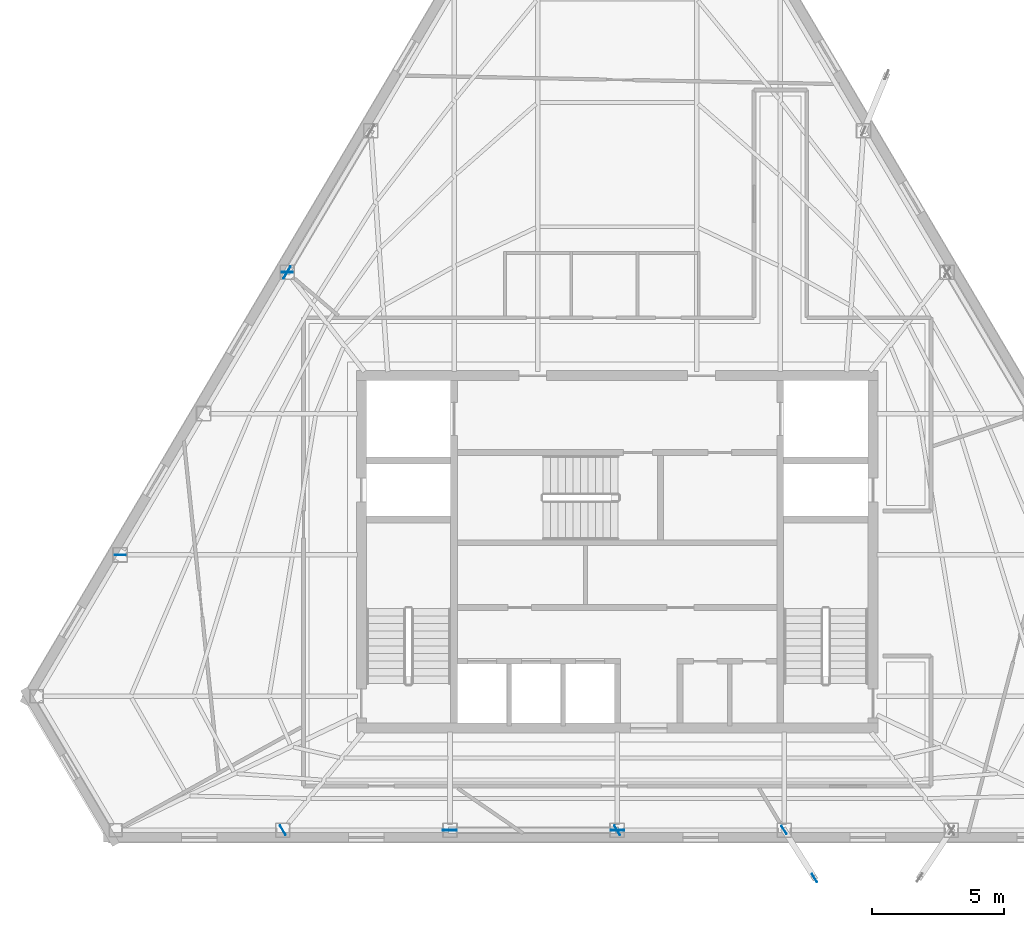
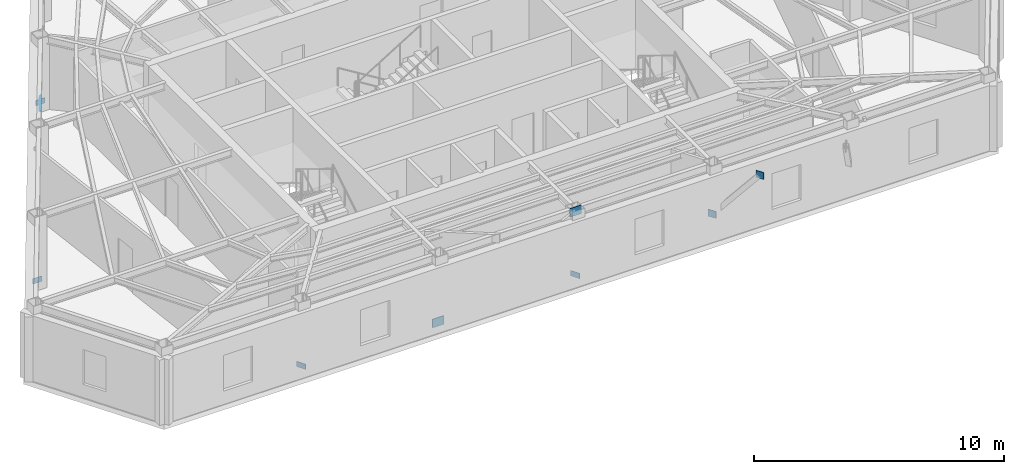
# One storey, part 4 of 10: 9 plates.
"""IFC4 building model written with IfcOpenShell, lengths in metres."""

from ifc_helpers import new_model, si_unit, direction, frame, origin, origin_2d, place, context, subcontext, project, spatial, rectangle, extrude, material, layer, layer_set, type_object, element, save


model = new_model("IFC4")

# Units and contexts
model_context = context("Model", 3, precision=1e-05, world=origin(), true_north=direction((0.0, 1.0)))
body_context = subcontext(model_context, "Body", "Model", "MODEL_VIEW")
ifc_project = project(units=[si_unit("LENGTHUNIT", "METRE"), si_unit("AREAUNIT", "SQUARE_METRE"), si_unit("VOLUMEUNIT", "CUBIC_METRE"), si_unit("PLANEANGLEUNIT", "RADIAN"), si_unit("MASSUNIT", "GRAM", prefix="KILO")], contexts=[model_context])

# Site, building, storey
site_placement = place(None, origin())
site = spatial("IfcSite", under=ifc_project, at=site_placement, CompositionType="ELEMENT")
building_placement = place(site_placement, origin())
building = spatial("IfcBuilding", under=site, at=building_placement, Name="Kavelnor Concourse Tower", CompositionType="ELEMENT")
storey_placement = place(building_placement, frame((0.0, 0.0, 274.14990234375)))
storey = spatial("IfcBuildingStorey", under=building, at=storey_placement, Name="L69", CompositionType="ELEMENT", Elevation=274.14990234375)

# Plates
ifc_material = material(Name="Steel Grade 350", Category="steel")
ifc_layer_1 = layer(ifc_material, 0.028076171875, Name="Steel Grade 350")
ifc_layer_set_1 = layer_set([ifc_layer_1], Name="Steel Grade 350")
plate_type_1 = type_object("IfcPlateType", Name="PL-GUSSET-FOLD", PredefinedType="USERDEFINED", material=ifc_layer_set_1)
for number, where, z_axis, x_axis, name in (
    (1, (44.33740234375, 5.546875, 0.8798828125), (0.0, 0.0, 1.0), (0.535089775931, -0.844795201036, 0.0), "L69 Balcony Strut Gusset GP4 1-A End Gusset A"),
    (2, (45.494873046875, 3.719482421875, 3.48486328125), (0.0, 0.0, 1.0), (0.535089775931, -0.844795201036, 0.0), "L69 Balcony Strut Gusset GP4 1-A End Gusset B"),
):
    element("IfcPlate", number, at=place(storey_placement, frame(where, z_axis=z_axis, x_axis=x_axis)), inside=storey, type_object=plate_type_1, Name=name, ObjectType="GUSSET_PLATE", PredefinedType="USERDEFINED", context=body_context, shape_type="SweptSolid", body=[
        extrude(rectangle(XDim=0.360107421875, YDim=0.028076171875, at=origin_2d()), origin(), (0.0, 0.0, 1.0), 0.340087890625),
    ])
ifc_layer_2 = layer(ifc_material, 0.031982421875, Name="Steel Grade 350")
ifc_layer_set_2 = layer_set([ifc_layer_2], Name="Steel Grade 350")
plate_type_2 = type_object("IfcPlateType", Name="PL-GUSSET-TUBE-Z1", PredefinedType="USERDEFINED", material=ifc_layer_set_2)
for number, where, z_axis, x_axis, name in (
    (3, (25.468505859375, 26.707763671875, 0.01025390625), (0.0, 0.0, 1.0), (0.508740929096, 0.860919663536, 0.0), "L69 Tube Brace Gusset GP3 F0-B2 End Gusset A"),
    (4, (31.644287109375, 5.536865234375, 0.01025390625), (0.0, 0.0, 1.0), (1.0, 0.0, 0.0), "L69 Tube Brace Gusset GP3 F1-B2 End Gusset A"),
    (5, (38.011962890625, 5.536865234375, 3.197021484375), (0.0, 0.0, 1.0), (1.0, 0.0, 0.0), "L69 Tube Brace Gusset GP3 F1-B2 End Gusset B"),
):
    element("IfcPlate", number, at=place(storey_placement, frame(where, z_axis=z_axis, x_axis=x_axis)), inside=storey, type_object=plate_type_2, Name=name, ObjectType="GUSSET_PLATE", PredefinedType="USERDEFINED", context=body_context, shape_type="SweptSolid", body=[
        extrude(rectangle(XDim=0.52001953125, YDim=0.031982421875, at=origin_2d()), origin(), (0.0, 0.0, 1.0), 0.419921875),
    ])
ifc_layer_3 = layer(ifc_material, 0.02490234375, Name="Steel Grade 350")
ifc_layer_set_3 = layer_set([ifc_layer_3], Name="Steel Grade 350")
plate_type_3 = type_object("IfcPlateType", Name="PL-SPLICE-FLANGE", PredefinedType="SHEET", material=ifc_layer_set_3)
for number, where, z_axis, x_axis, name in (
    (6, (25.474609375, 26.718017578125, 0.169921875), (0.0, 0.0, 1.0), (1.0, 0.0, 0.0), "L69 Column Flange Splice Plate F0-B3"),
    (7, (19.1337890625, 15.987548828125, 0.169921875), (0.0, 0.0, 1.0), (1.0, 0.0, 0.0), "L69 Column Flange Splice Plate F0-B5"),
    (8, (25.3125, 5.536865234375, 0.169921875), (0.0, 0.0, 1.0), (-0.5, 0.866025403784, 0.0), "L69 Column Flange Splice Plate F1-B1"),
    (9, (38.0, 5.536865234375, 0.169921875), (0.0, 0.0, 1.0), (-0.5, 0.866025403784, 0.0), "L69 Column Flange Splice Plate F1-B3"),
):
    element("IfcPlate", number, at=place(storey_placement, frame(where, z_axis=z_axis, x_axis=x_axis)), inside=storey, type_object=plate_type_3, Name=name, PredefinedType="SHEET", context=body_context, shape_type="SweptSolid", body=[
        extrude(rectangle(XDim=0.419921875, YDim=0.02490234375, at=origin_2d()), origin(), (0.0, 0.0, 1.0), 0.260009765625),
    ])

save(model, "model.ifc")
